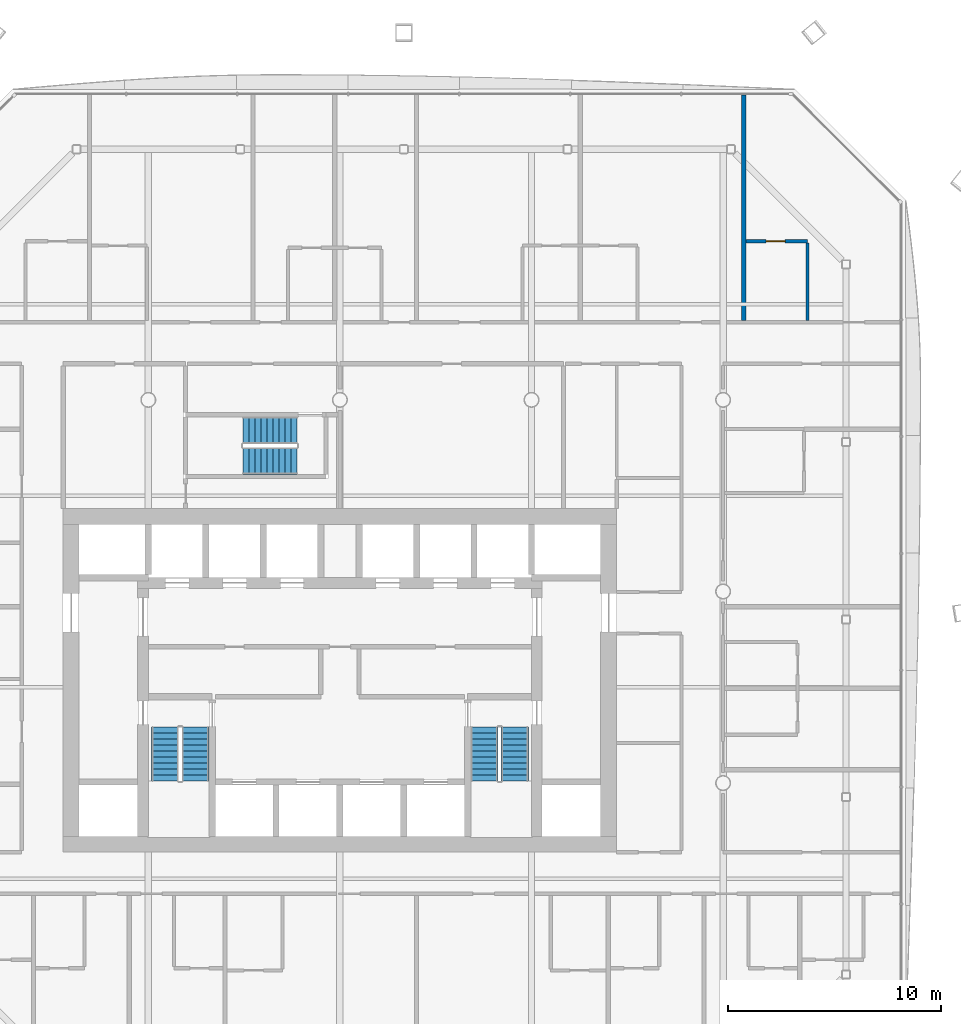
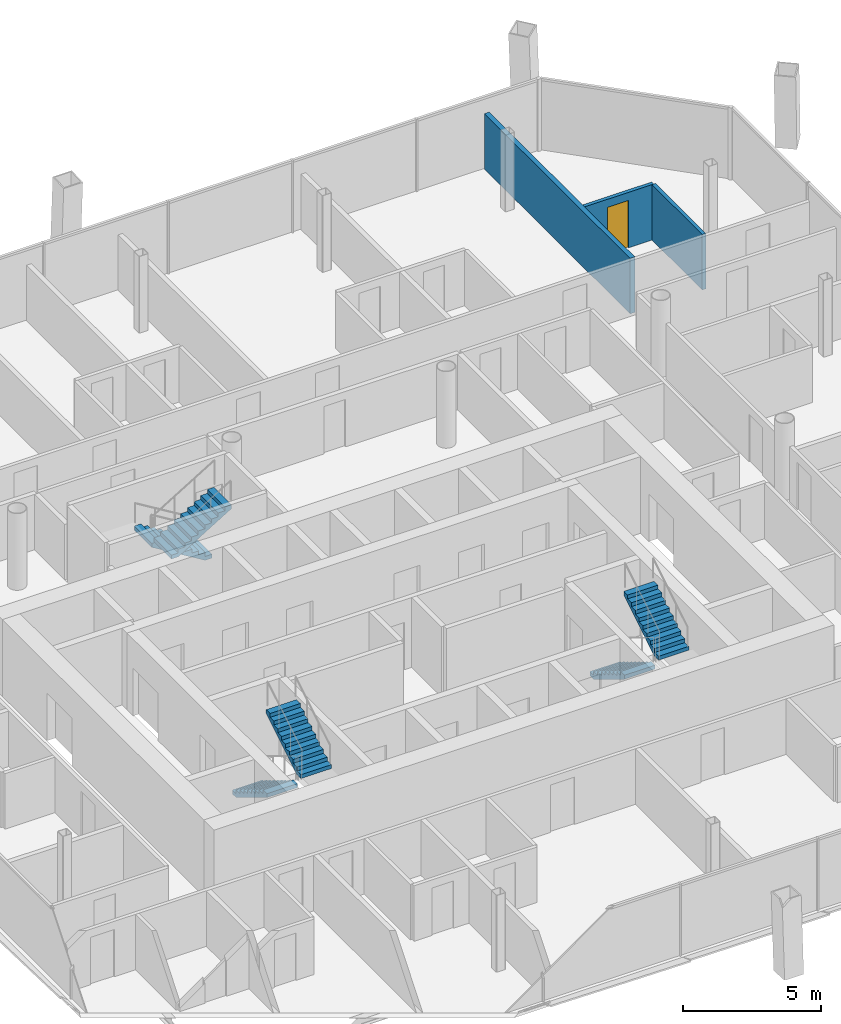
# One storey, part 17 of 22: 6 stair flights, 3 walls, 1 door, 1 opening, 3 elements without a shape of their own.
"""IFC4 building model written with IfcOpenShell, lengths in metres."""

from ifc_helpers import new_model, si_unit, direction, frame, frame_2d, origin, place, context, subcontext, project, spatial, polyline, rectangle, outline, extrude, material, layer, layer_set, type_object, element, fill, aggregate, save


model = new_model("IFC4")

# Units and contexts
model_context = context("Model", 3, precision=1e-05, world=origin(), true_north=direction((0.0, 1.0)))
body_context = subcontext(model_context, "Body", "Model", "MODEL_VIEW")
ifc_project = project(units=[si_unit("LENGTHUNIT", "METRE"), si_unit("AREAUNIT", "SQUARE_METRE"), si_unit("VOLUMEUNIT", "CUBIC_METRE"), si_unit("PLANEANGLEUNIT", "RADIAN"), si_unit("MASSUNIT", "GRAM", prefix="KILO")], contexts=[model_context])

# Site, building, storey
site_placement = place(None, origin())
site = spatial("IfcSite", under=ifc_project, at=site_placement, CompositionType="ELEMENT")
building_placement = place(site_placement, origin())
building = spatial("IfcBuilding", under=site, at=building_placement, Name="Tskaro Facet Tower", CompositionType="ELEMENT")
storey_placement = place(building_placement, frame((0.0, 0.0, 124.89990234375)))
storey = spatial("IfcBuildingStorey", under=building, at=storey_placement, Name="L29", CompositionType="ELEMENT", Elevation=124.89990234375)

# Wall, opening, door
ifc_material_1 = material(Name="Gypsum board on steel studs", Category="steel")
ifc_layer_1 = layer(ifc_material_1, 0.14990234375, Name="Gypsum board on steel studs")
ifc_layer_set_1 = layer_set([ifc_layer_1], Name="Gypsum board on steel studs")
wall_type_1 = type_object("IfcWallType", Name="PART-CORR", PredefinedType="PARTITIONING", material=ifc_layer_set_1)
wall_1_placement = place(storey_placement, frame((21.968017578125, 16.449951171875, 0.0), z_axis=(0.0, 0.0, 1.0), x_axis=(-1.0, 0.0, 0.0)))
wall_1 = element("IfcWall", 1, at=wall_1_placement, inside=storey, type_object=wall_type_1, Name="Corridor wall W054", PredefinedType="PARTITIONING", context=body_context, shape_type="SweptSolid", body=[
    extrude(rectangle(XDim=2.89990234375, YDim=0.14990234375, at=frame_2d((1.449951171875, 0.0))), origin(), (0.0, 0.0, 1.0), 2.460205078125),
])
opening_placement = place(wall_1_placement, frame((1.050048828125, 0.0, 0.0)))
opening = element("IfcOpeningElement", 2, at=opening_placement, cuts=wall_1, Name="Opening T8-D63", PredefinedType="OPENING", context=body_context, shape_type="SweptSolid", body=[
    extrude(rectangle(XDim=0.89990234375, YDim=2.10009765625, at=frame_2d((0.449951171875, 1.050048828125))), frame((0.0, 0.0849609375, 0.0), z_axis=(0.0, -1.0, 0.0), x_axis=(1.0, 0.0, 0.0)), (0.0, 0.0, 1.0), 0.169921875),
])
ifc_material_2 = material(Name="Timber", Category="wood")
door_type = type_object("IfcDoorType", Name="D-ROOM", OperationType="NOTDEFINED", PredefinedType="DOOR", material=ifc_material_2)
door_placement = place(opening_placement, origin())
door = element("IfcDoor", 3, at=door_placement, inside=storey, type_object=door_type, Name="Door T8-D63", OperationType="SINGLE_SWING_RIGHT", OverallHeight=2.10009765625, OverallWidth=0.89990234375, PredefinedType="DOOR", context=body_context, shape_type="SweptSolid", body=[
    extrude(rectangle(XDim=0.89990234375, YDim=2.10009765625, at=frame_2d((0.449951171875, 1.050048828125))), frame((0.0, 0.02490234375, 0.0), z_axis=(0.0, -1.0, 0.0), x_axis=(1.0, 0.0, 0.0)), (0.0, 0.0, 1.0), 0.050048828125),
])
fill(opening, door)

# Walls
wall_2_placement = place(storey_placement, frame((21.968017578125, 12.72509765625, 0.0), z_axis=(0.0, 0.0, 1.0), x_axis=(0.0, 1.0, 0.0)))
element("IfcWall", 4, at=wall_2_placement, inside=storey, type_object=wall_type_1, Name="Corridor wall W116", PredefinedType="PARTITIONING", context=body_context, shape_type="SweptSolid", body=[
    extrude(rectangle(XDim=3.64990234375, YDim=0.14990234375, at=frame_2d((1.824951171875, 0.0))), origin(), (0.0, 0.0, 1.0), 2.460205078125),
])
ifc_layer_2 = layer(ifc_material_1, 0.199951171875, Name="Gypsum board on steel studs")
ifc_layer_set_2 = layer_set([ifc_layer_2], Name="Gypsum board on steel studs")
wall_type_2 = type_object("IfcWallType", Name="PART-DEMISING", PredefinedType="PARTITIONING", material=ifc_layer_set_2)
wall_3_placement = place(storey_placement, frame((18.968017578125, 12.72509765625, 0.0), z_axis=(0.0, 0.0, 1.0), x_axis=(0.0, 1.0, 0.0)))
element("IfcWall", 5, at=wall_3_placement, inside=storey, type_object=wall_type_2, Name="Guest room wall W111", PredefinedType="PARTITIONING", context=body_context, shape_type="SweptSolid", body=[
    extrude(rectangle(XDim=10.591796875, YDim=0.199951171875, at=frame_2d((5.2958984375, 0.0))), origin(), (0.0, 0.0, 1.0), 2.460205078125),
])

# Stair, stair flights
ifc_material_3 = material(Name="Concrete C40/50", Category="concrete")
stair_type = type_object("IfcStairType", Name="ST-TWR", PredefinedType="HALF_TURN_STAIR", material=ifc_material_3)
stair_1_placement = place(storey_placement, origin())
stair_1 = element("IfcStair", 6, at=stair_1_placement, inside=storey, type_object=stair_type, Name="L29 Exit stair 1", PredefinedType="HALF_TURN_STAIR")
stair_flight_type = type_object("IfcStairFlightType", Name="SFL-RC", PredefinedType="STRAIGHT", material=ifc_material_3)
stair_flight_1_placement = place(storey_placement, frame((-8.21240234375, -6.375, 0.0), z_axis=(0.0, 0.0, 1.0), x_axis=(0.0, -1.0, 0.0)))
stair_flight_1 = element("IfcStairFlight", 7, at=stair_flight_1_placement, type_object=stair_flight_type, Name="ST-1 flight 1", NumberOfRisers=10, NumberOfTreads=9, PredefinedType="STRAIGHT", RiserHeight=0.17, TreadLength=0.28, context=body_context, shape_type="SweptSolid", body=[
    extrude(outline(polyline([(0.0, 0.0), (0.0, 0.169921875), (0.280029296875, 0.169921875), (0.280029296875, 0.340087890625), (0.56005859375, 0.340087890625), (0.56005859375, 0.510009765625), (0.840087890625, 0.510009765625), (0.840087890625, 0.679931640625), (1.1201171875, 0.679931640625), (1.1201171875, 0.85009765625), (1.39990234375, 0.85009765625), (1.39990234375, 1.02001953125), (1.679931640625, 1.02001953125), (1.679931640625, 1.18994140625), (1.9599609375, 1.18994140625), (1.9599609375, 1.360107421875), (2.239990234375, 1.360107421875), (2.239990234375, 1.530029296875), (2.52001953125, 1.530029296875), (2.52001953125, 1.699951171875), (2.52001953125, 1.354736328125), (0.288818359375, 0.0), (0.0, 0.0)])), frame((0.0, 0.637451171875, 0.0), z_axis=(0.0, -1.0, 0.0), x_axis=(1.0, 0.0, 0.0)), (0.0, 0.0, 1.0), 1.27490234375),
])
stair_flight_2_placement = place(storey_placement, frame((-6.78759765625, -8.89501953125, 1.7001953125), z_axis=(0.0, 0.0, 1.0), x_axis=(0.0, 1.0, 0.0)))
stair_flight_2 = element("IfcStairFlight", 8, at=stair_flight_2_placement, type_object=stair_flight_type, Name="ST-1 flight 2", NumberOfRisers=10, NumberOfTreads=9, PredefinedType="STRAIGHT", RiserHeight=0.17, TreadLength=0.28, context=body_context, shape_type="SweptSolid", body=[
    extrude(outline(polyline([(0.0, 0.0), (0.0, 0.169921875), (0.280029296875, 0.169921875), (0.280029296875, 0.340087890625), (0.56005859375, 0.340087890625), (0.56005859375, 0.510009765625), (0.840087890625, 0.510009765625), (0.840087890625, 0.679931640625), (1.1201171875, 0.679931640625), (1.1201171875, 0.85009765625), (1.39990234375, 0.85009765625), (1.39990234375, 1.02001953125), (1.679931640625, 1.02001953125), (1.679931640625, 1.18994140625), (1.9599609375, 1.18994140625), (1.9599609375, 1.360107421875), (2.239990234375, 1.360107421875), (2.239990234375, 1.530029296875), (2.52001953125, 1.530029296875), (2.52001953125, 1.699951171875), (2.52001953125, 1.354736328125), (0.288818359375, 0.0), (0.0, 0.0)])), frame((0.0, 0.637451171875, 0.0), z_axis=(0.0, -1.0, 0.0), x_axis=(1.0, 0.0, 0.0)), (0.0, 0.0, 1.0), 1.27490234375),
])
aggregate(stair_1, [stair_flight_1, stair_flight_2])

stair_2_placement = place(storey_placement, origin())
stair_2 = element("IfcStair", 9, at=stair_2_placement, inside=storey, type_object=stair_type, Name="L29 Exit stair 2", PredefinedType="HALF_TURN_STAIR")
stair_flight_3_placement = place(storey_placement, frame((6.78759765625, -6.375, 0.0), z_axis=(0.0, 0.0, 1.0), x_axis=(0.0, -1.0, 0.0)))
stair_flight_3 = element("IfcStairFlight", 10, at=stair_flight_3_placement, type_object=stair_flight_type, Name="ST-2 flight 1", NumberOfRisers=10, NumberOfTreads=9, PredefinedType="STRAIGHT", RiserHeight=0.17, TreadLength=0.28, context=body_context, shape_type="SweptSolid", body=[
    extrude(outline(polyline([(0.0, 0.0), (0.0, 0.169921875), (0.280029296875, 0.169921875), (0.280029296875, 0.340087890625), (0.56005859375, 0.340087890625), (0.56005859375, 0.510009765625), (0.840087890625, 0.510009765625), (0.840087890625, 0.679931640625), (1.1201171875, 0.679931640625), (1.1201171875, 0.85009765625), (1.39990234375, 0.85009765625), (1.39990234375, 1.02001953125), (1.679931640625, 1.02001953125), (1.679931640625, 1.18994140625), (1.9599609375, 1.18994140625), (1.9599609375, 1.360107421875), (2.239990234375, 1.360107421875), (2.239990234375, 1.530029296875), (2.52001953125, 1.530029296875), (2.52001953125, 1.699951171875), (2.52001953125, 1.354736328125), (0.288818359375, 0.0), (0.0, 0.0)])), frame((0.0, 0.637451171875, 0.0), z_axis=(0.0, -1.0, 0.0), x_axis=(1.0, 0.0, 0.0)), (0.0, 0.0, 1.0), 1.27490234375),
])
stair_flight_4_placement = place(storey_placement, frame((8.21240234375, -8.89501953125, 1.7001953125), z_axis=(0.0, 0.0, 1.0), x_axis=(0.0, 1.0, 0.0)))
stair_flight_4 = element("IfcStairFlight", 11, at=stair_flight_4_placement, type_object=stair_flight_type, Name="ST-2 flight 2", NumberOfRisers=10, NumberOfTreads=9, PredefinedType="STRAIGHT", RiserHeight=0.17, TreadLength=0.28, context=body_context, shape_type="SweptSolid", body=[
    extrude(outline(polyline([(0.0, 0.0), (0.0, 0.169921875), (0.280029296875, 0.169921875), (0.280029296875, 0.340087890625), (0.56005859375, 0.340087890625), (0.56005859375, 0.510009765625), (0.840087890625, 0.510009765625), (0.840087890625, 0.679931640625), (1.1201171875, 0.679931640625), (1.1201171875, 0.85009765625), (1.39990234375, 0.85009765625), (1.39990234375, 1.02001953125), (1.679931640625, 1.02001953125), (1.679931640625, 1.18994140625), (1.9599609375, 1.18994140625), (1.9599609375, 1.360107421875), (2.239990234375, 1.360107421875), (2.239990234375, 1.530029296875), (2.52001953125, 1.530029296875), (2.52001953125, 1.699951171875), (2.52001953125, 1.354736328125), (0.288818359375, 0.0), (0.0, 0.0)])), frame((0.0, 0.637451171875, 0.0), z_axis=(0.0, -1.0, 0.0), x_axis=(1.0, 0.0, 0.0)), (0.0, 0.0, 1.0), 1.27490234375),
])
aggregate(stair_2, [stair_flight_3, stair_flight_4])

stair_3_placement = place(storey_placement, origin())
stair_3 = element("IfcStair", 12, at=stair_3_placement, inside=storey, type_object=stair_type, Name="L29 Exit stair 3", PredefinedType="HALF_TURN_STAIR")
stair_flight_5_placement = place(storey_placement, frame((-2.02490234375, 7.5625, 0.0), z_axis=(0.0, 0.0, 1.0), x_axis=(-1.0, 0.0, 0.0)))
stair_flight_5 = element("IfcStairFlight", 13, at=stair_flight_5_placement, type_object=stair_flight_type, Name="ST-3 flight 1", NumberOfRisers=10, NumberOfTreads=9, PredefinedType="STRAIGHT", RiserHeight=0.17, TreadLength=0.28, context=body_context, shape_type="SweptSolid", body=[
    extrude(outline(polyline([(0.0, 0.0), (0.0, 0.169921875), (0.280029296875, 0.169921875), (0.280029296875, 0.340087890625), (0.56005859375, 0.340087890625), (0.56005859375, 0.510009765625), (0.840087890625, 0.510009765625), (0.840087890625, 0.679931640625), (1.1201171875, 0.679931640625), (1.1201171875, 0.85009765625), (1.39990234375, 0.85009765625), (1.39990234375, 1.02001953125), (1.679931640625, 1.02001953125), (1.679931640625, 1.18994140625), (1.9599609375, 1.18994140625), (1.9599609375, 1.360107421875), (2.239990234375, 1.360107421875), (2.239990234375, 1.530029296875), (2.52001953125, 1.530029296875), (2.52001953125, 1.699951171875), (2.52001953125, 1.354736328125), (0.288818359375, 0.0), (0.0, 0.0)])), frame((0.0, 0.637451171875, 0.0), z_axis=(0.0, -1.0, 0.0), x_axis=(1.0, 0.0, 0.0)), (0.0, 0.0, 1.0), 1.27490234375),
])
stair_flight_6_placement = place(storey_placement, frame((-4.544921875, 6.137451171875, 1.7001953125), z_axis=(0.0, 0.0, 1.0), x_axis=(1.0, 0.0, 0.0)))
stair_flight_6 = element("IfcStairFlight", 14, at=stair_flight_6_placement, type_object=stair_flight_type, Name="ST-3 flight 2", NumberOfRisers=10, NumberOfTreads=9, PredefinedType="STRAIGHT", RiserHeight=0.17, TreadLength=0.28, context=body_context, shape_type="SweptSolid", body=[
    extrude(outline(polyline([(0.0, 0.0), (0.0, 0.169921875), (0.280029296875, 0.169921875), (0.280029296875, 0.340087890625), (0.56005859375, 0.340087890625), (0.56005859375, 0.510009765625), (0.840087890625, 0.510009765625), (0.840087890625, 0.679931640625), (1.1201171875, 0.679931640625), (1.1201171875, 0.85009765625), (1.39990234375, 0.85009765625), (1.39990234375, 1.02001953125), (1.679931640625, 1.02001953125), (1.679931640625, 1.18994140625), (1.9599609375, 1.18994140625), (1.9599609375, 1.360107421875), (2.239990234375, 1.360107421875), (2.239990234375, 1.530029296875), (2.52001953125, 1.530029296875), (2.52001953125, 1.699951171875), (2.52001953125, 1.354736328125), (0.288818359375, 0.0), (0.0, 0.0)])), frame((0.0, 0.637451171875, 0.0), z_axis=(0.0, -1.0, 0.0), x_axis=(1.0, 0.0, 0.0)), (0.0, 0.0, 1.0), 1.27490234375),
])
aggregate(stair_3, [stair_flight_5, stair_flight_6])

save(model, "model.ifc")
